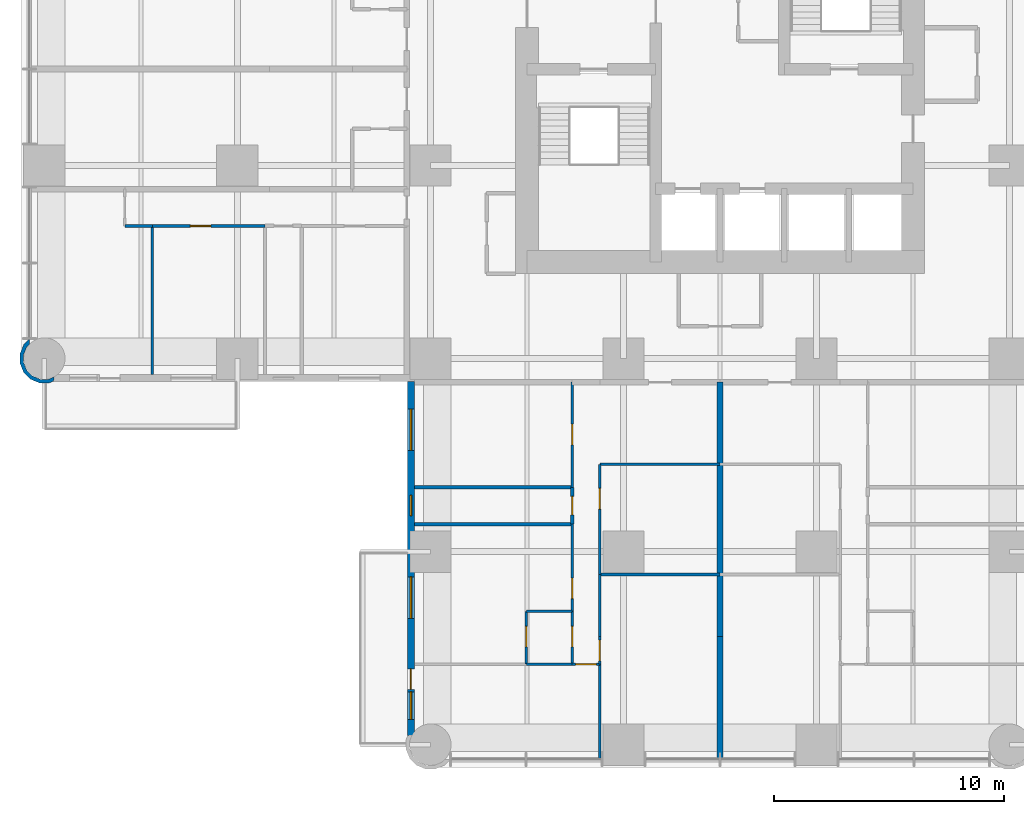
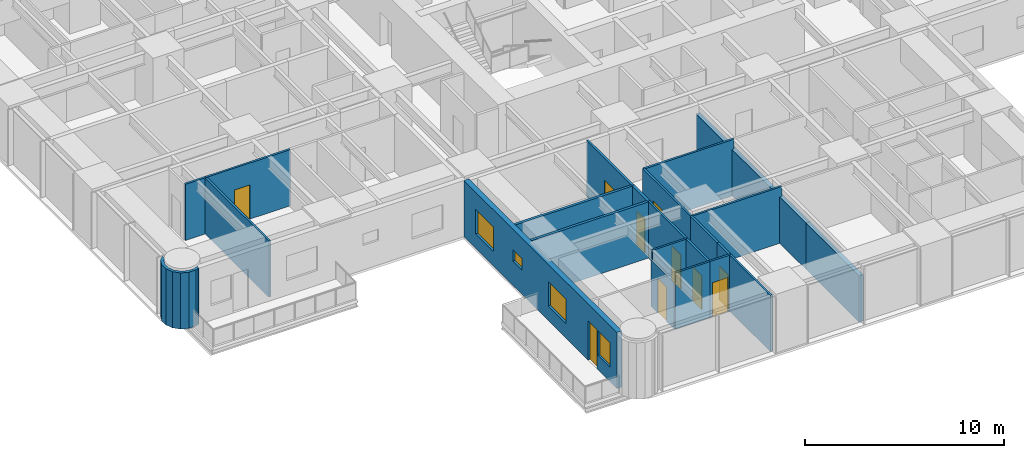
# One storey, part 7 of 17: 25 walls, 10 doors, 4 windows, 14 openings.
"""IFC4 building model written with IfcOpenShell, lengths in metres."""

from ifc_helpers import new_model, si_unit, direction, frame, frame_2d, origin, place, context, subcontext, project, spatial, polyline, rectangle, outline, extrude, material, layer, layer_set, type_object, element, fill, save


model = new_model("IFC4")

# Units and contexts
model_context = context("Model", 3, precision=1e-05, world=origin(), true_north=direction((0.0, 1.0)))
body_context = subcontext(model_context, "Body", "Model", "MODEL_VIEW")
ifc_project = project(units=[si_unit("LENGTHUNIT", "METRE"), si_unit("AREAUNIT", "SQUARE_METRE"), si_unit("VOLUMEUNIT", "CUBIC_METRE"), si_unit("PLANEANGLEUNIT", "RADIAN"), si_unit("MASSUNIT", "GRAM", prefix="KILO")], contexts=[model_context])

# Site, building, storey
site_placement = place(None, origin())
site = spatial("IfcSite", under=ifc_project, at=site_placement, CompositionType="ELEMENT")
building_placement = place(site_placement, origin())
building = spatial("IfcBuilding", under=site, at=building_placement, Name="Torre Alcanfor", CompositionType="ELEMENT")
storey_placement = place(building_placement, frame((0.0, 0.0, 88.5)))
storey = spatial("IfcBuildingStorey", under=building, at=storey_placement, Name="L22", CompositionType="ELEMENT", Elevation=88.5)

# Walls
ifc_material_1 = material(Name="Gypsum board on steel studs", Category="steel")
ifc_layer_1 = layer(ifc_material_1, 0.1201171875)
ifc_layer_set_1 = layer_set([ifc_layer_1], Name="Apartment partition 120")
wall_type_1 = type_object("IfcWallType", Name="Apartment partition 120", PredefinedType="PARTITIONING", material=ifc_layer_set_1)
for number, where, z_axis, x_axis, name in (
    (1, (29.39990234375, 12.199951171875, 0.0), (0.0, 0.0, 1.0), (-1.0, 0.0, 0.0), "Partition L22-S2-ZAG / L22-S2-FAMILY"),
    (2, (29.39990234375, 7.39990234375, 0.0), (0.0, 0.0, 1.0), (-1.0, 0.0, 0.0), "Partition L22-S2-FAMILY / L22-S2-KITCHEN"),
):
    element("IfcWall", number, at=place(storey_placement, frame(where, z_axis=z_axis, x_axis=x_axis)), inside=storey, type_object=wall_type_1, Name=name, PredefinedType="PARTITIONING", context=body_context, shape_type="SweptSolid", body=[
        extrude(rectangle(XDim=5.22900390625, YDim=0.1201171875, at=frame_2d((2.614501953125, 0.0))), origin(), (0.0, 0.0, 1.0), 3.449951171875),
    ])

# Wall, opening, door
wall_1_placement = place(storey_placement, frame((24.1708984375, 7.39990234375, 0.0), z_axis=(0.0, 0.0, 1.0), x_axis=(0.0, 1.0, 0.0)))
wall_1 = element("IfcWall", 3, at=wall_1_placement, inside=storey, type_object=wall_type_1, Name="Partition L22-S2-FAMILY / L22-S2-HALL", PredefinedType="PARTITIONING", context=body_context, shape_type="SweptSolid", body=[
    extrude(rectangle(XDim=4.800048828125, YDim=0.1201171875, at=frame_2d((2.39990234375, 0.0))), origin(), (0.0, 0.0, 1.0), 3.449951171875),
])
opening_1_placement = place(wall_1_placement, frame((2.85009765625, 0.0, 0.0)))
opening_1 = element("IfcOpeningElement", 4, at=opening_1_placement, cuts=wall_1, Name="Opening D-R1", PredefinedType="OPENING", context=body_context, shape_type="SweptSolid", body=[
    extrude(rectangle(XDim=0.89990234375, YDim=2.10009765625, at=frame_2d((0.449951171875, 1.050048828125))), frame((0.0, 0.070068359375, 0.0), z_axis=(0.0, -1.0, 0.0), x_axis=(1.0, 0.0, 0.0)), (0.0, 0.0, 1.0), 0.14013671875),
])
ifc_material_2 = material(Name="Timber", Category="wood")
door_type_1 = type_object("IfcDoorType", Name="Internal door 900x2100", OperationType="SINGLE_SWING_LEFT", PredefinedType="DOOR", material=ifc_material_2)
door_1_placement = place(opening_1_placement, frame((0.89990234375, 0.0, 0.0), z_axis=(0.0, 0.0, 1.0), x_axis=(-1.0, 0.0, 0.0)))
door_1 = element("IfcDoor", 5, at=door_1_placement, inside=storey, type_object=door_type_1, Name="Door L22-S2 family", OperationType="SINGLE_SWING_LEFT", OverallHeight=2.10009765625, OverallWidth=0.89990234375, PredefinedType="DOOR", context=body_context, shape_type="SweptSolid", body=[
    extrude(rectangle(XDim=0.89990234375, YDim=2.10009765625, at=frame_2d((0.449951171875, 1.050048828125))), frame((0.0, 0.025146484375, 0.0), z_axis=(0.0, -1.0, 0.0), x_axis=(1.0, 0.0, 0.0)), (0.0, 0.0, 1.0), 0.050048828125),
])
fill(opening_1, door_1)

# Wall
wall_2_placement = place(storey_placement, frame((24.1708984375, 4.699951171875, 0.0), z_axis=(0.0, 0.0, 1.0), x_axis=(0.0, 1.0, 0.0)))
element("IfcWall", 6, at=wall_2_placement, inside=storey, type_object=wall_type_1, Name="Partition L22-S2-KITCHEN / L22-S2-HALL", PredefinedType="PARTITIONING", context=body_context, shape_type="SweptSolid", body=[
    extrude(rectangle(XDim=2.699951171875, YDim=0.1201171875, at=frame_2d((1.35009765625, 0.0))), origin(), (0.0, 0.0, 1.0), 3.449951171875),
])

# Wall, opening, door
wall_3_placement = place(storey_placement, frame((24.1708984375, 3.5, 0.0), z_axis=(0.0, 0.0, 1.0), x_axis=(0.0, 1.0, 0.0)))
wall_3 = element("IfcWall", 7, at=wall_3_placement, inside=storey, type_object=wall_type_1, Name="Partition L22-S2-LIVING / L22-S2-HALL", PredefinedType="PARTITIONING", context=body_context, shape_type="SweptSolid", body=[
    extrude(rectangle(XDim=1.199951171875, YDim=0.1201171875, at=frame_2d((0.60009765625, 0.0))), origin(), (0.0, 0.0, 1.0), 3.449951171875),
])
opening_2_placement = place(wall_3_placement, frame((0.14990234375, 0.0, 0.0)))
opening_2 = element("IfcOpeningElement", 8, at=opening_2_placement, cuts=wall_3, Name="Opening D-R1", PredefinedType="OPENING", context=body_context, shape_type="SweptSolid", body=[
    extrude(rectangle(XDim=0.89990234375, YDim=2.10009765625, at=frame_2d((0.449951171875, 1.050048828125))), frame((0.0, 0.070068359375, 0.0), z_axis=(0.0, -1.0, 0.0), x_axis=(1.0, 0.0, 0.0)), (0.0, 0.0, 1.0), 0.14013671875),
])
door_2_placement = place(opening_2_placement, frame((0.89990234375, 0.0, 0.0), z_axis=(0.0, 0.0, 1.0), x_axis=(-1.0, 0.0, 0.0)))
door_2 = element("IfcDoor", 9, at=door_2_placement, inside=storey, type_object=door_type_1, Name="Door L22-S2 living", OperationType="SINGLE_SWING_LEFT", OverallHeight=2.10009765625, OverallWidth=0.89990234375, PredefinedType="DOOR", context=body_context, shape_type="SweptSolid", body=[
    extrude(rectangle(XDim=0.89990234375, YDim=2.10009765625, at=frame_2d((0.449951171875, 1.050048828125))), frame((0.0, 0.025146484375, 0.0), z_axis=(0.0, -1.0, 0.0), x_axis=(1.0, 0.0, 0.0)), (0.0, 0.0, 1.0), 0.050048828125),
])
fill(opening_2, door_2)

# Wall
wall_4_placement = place(storey_placement, frame((24.1708984375, -0.64990234375, 0.0), z_axis=(0.0, 0.0, 1.0), x_axis=(0.0, 1.0, 0.0)))
element("IfcWall", 10, at=wall_4_placement, inside=storey, type_object=wall_type_1, Name="Partition L22-S2-LIVING / L22-S2-WGARD", PredefinedType="PARTITIONING", context=body_context, shape_type="SweptSolid", body=[
    extrude(rectangle(XDim=4.14990234375, YDim=0.1201171875, at=frame_2d((2.074951171875, 0.0))), origin(), (0.0, 0.0, 1.0), 3.449951171875),
])

# Wall, opening, door
wall_5_placement = place(storey_placement, frame((22.970947265625, 11.199951171875, 0.0), z_axis=(0.0, 0.0, 1.0), x_axis=(0.0, 1.0, 0.0)))
wall_5 = element("IfcWall", 11, at=wall_5_placement, inside=storey, type_object=wall_type_1, Name="Partition L22-S2-HALL / L22-S2-BED2", PredefinedType="PARTITIONING", context=body_context, shape_type="SweptSolid", body=[
    extrude(rectangle(XDim=4.574951171875, YDim=0.1201171875, at=frame_2d((2.28759765625, 0.0))), origin(), (0.0, 0.0, 1.0), 3.449951171875),
])
opening_3_placement = place(wall_5_placement, frame((1.85009765625, 0.0, 0.0)))
opening_3 = element("IfcOpeningElement", 12, at=opening_3_placement, cuts=wall_5, Name="Opening D-R1", PredefinedType="OPENING", context=body_context, shape_type="SweptSolid", body=[
    extrude(rectangle(XDim=0.89990234375, YDim=2.10009765625, at=frame_2d((0.449951171875, 1.050048828125))), frame((0.0, 0.070068359375, 0.0), z_axis=(0.0, -1.0, 0.0), x_axis=(1.0, 0.0, 0.0)), (0.0, 0.0, 1.0), 0.14013671875),
])
door_3_placement = place(opening_3_placement, origin())
door_3 = element("IfcDoor", 13, at=door_3_placement, inside=storey, type_object=door_type_1, Name="Door L22-S2 bed2", OperationType="SINGLE_SWING_RIGHT", OverallHeight=2.10009765625, OverallWidth=0.89990234375, PredefinedType="DOOR", context=body_context, shape_type="SweptSolid", body=[
    extrude(rectangle(XDim=0.89990234375, YDim=2.10009765625, at=frame_2d((0.449951171875, 1.050048828125))), frame((0.0, 0.02490234375, 0.0), z_axis=(0.0, -1.0, 0.0), x_axis=(1.0, 0.0, 0.0)), (0.0, 0.0, 1.0), 0.050048828125),
])
fill(opening_3, door_3)

wall_6_placement = place(storey_placement, frame((22.970947265625, 5.800048828125, 0.0), z_axis=(0.0, 0.0, 1.0), x_axis=(0.0, 1.0, 0.0)))
wall_6 = element("IfcWall", 14, at=wall_6_placement, inside=storey, type_object=wall_type_1, Name="Partition L22-S2-HALL / L22-S2-MASTER", PredefinedType="PARTITIONING", context=body_context, shape_type="SweptSolid", body=[
    extrude(rectangle(XDim=3.800048828125, YDim=0.1201171875, at=frame_2d((1.89990234375, 0.0))), origin(), (0.0, 0.0, 1.0), 3.449951171875),
])
opening_4_placement = place(wall_6_placement, frame((0.550048828125, 0.0, 0.0)))
opening_4 = element("IfcOpeningElement", 15, at=opening_4_placement, cuts=wall_6, Name="Opening D-R1", PredefinedType="OPENING", context=body_context, shape_type="SweptSolid", body=[
    extrude(rectangle(XDim=0.89990234375, YDim=2.10009765625, at=frame_2d((0.449951171875, 1.050048828125))), frame((0.0, 0.070068359375, 0.0), z_axis=(0.0, -1.0, 0.0), x_axis=(1.0, 0.0, 0.0)), (0.0, 0.0, 1.0), 0.14013671875),
])
door_4_placement = place(opening_4_placement, origin())
door_4 = element("IfcDoor", 16, at=door_4_placement, inside=storey, type_object=door_type_1, Name="Door L22-S2 master", OperationType="SINGLE_SWING_LEFT", OverallHeight=2.10009765625, OverallWidth=0.89990234375, PredefinedType="DOOR", context=body_context, shape_type="SweptSolid", body=[
    extrude(rectangle(XDim=0.89990234375, YDim=2.10009765625, at=frame_2d((0.449951171875, 1.050048828125))), frame((0.0, 0.02490234375, 0.0), z_axis=(0.0, -1.0, 0.0), x_axis=(1.0, 0.0, 0.0)), (0.0, 0.0, 1.0), 0.050048828125),
])
fill(opening_4, door_4)

wall_7_placement = place(storey_placement, frame((22.970947265625, 3.5, 0.0), z_axis=(0.0, 0.0, 1.0), x_axis=(0.0, 1.0, 0.0)))
wall_7 = element("IfcWall", 17, at=wall_7_placement, inside=storey, type_object=wall_type_1, Name="Partition L22-S2-HALL / L22-S2-VEST", PredefinedType="PARTITIONING", context=body_context, shape_type="SweptSolid", body=[
    extrude(rectangle(XDim=2.300048828125, YDim=0.1201171875, at=frame_2d((1.14990234375, 0.0))), origin(), (0.0, 0.0, 1.0), 3.449951171875),
])
opening_5_placement = place(wall_7_placement, frame((0.75, 0.0, 0.0)))
opening_5 = element("IfcOpeningElement", 18, at=opening_5_placement, cuts=wall_7, Name="Opening D-R1", PredefinedType="OPENING", context=body_context, shape_type="SweptSolid", body=[
    extrude(rectangle(XDim=0.89990234375, YDim=2.10009765625, at=frame_2d((0.449951171875, 1.050048828125))), frame((0.0, 0.070068359375, 0.0), z_axis=(0.0, -1.0, 0.0), x_axis=(1.0, 0.0, 0.0)), (0.0, 0.0, 1.0), 0.14013671875),
])
door_5_placement = place(opening_5_placement, origin())
door_5 = element("IfcDoor", 19, at=door_5_placement, inside=storey, type_object=door_type_1, Name="Door L22-S2 vest", OperationType="SINGLE_SWING_RIGHT", OverallHeight=2.10009765625, OverallWidth=0.89990234375, PredefinedType="DOOR", context=body_context, shape_type="SweptSolid", body=[
    extrude(rectangle(XDim=0.89990234375, YDim=2.10009765625, at=frame_2d((0.449951171875, 1.050048828125))), frame((0.0, 0.02490234375, 0.0), z_axis=(0.0, -1.0, 0.0), x_axis=(1.0, 0.0, 0.0)), (0.0, 0.0, 1.0), 0.050048828125),
])
fill(opening_5, door_5)

wall_8_placement = place(storey_placement, frame((24.1708984375, 3.5, 0.0), z_axis=(0.0, 0.0, 1.0), x_axis=(-1.0, 0.0, 0.0)))
wall_8 = element("IfcWall", 20, at=wall_8_placement, inside=storey, type_object=wall_type_1, Name="Partition L22-S2-HALL / L22-S2-WGARD", PredefinedType="PARTITIONING", context=body_context, shape_type="SweptSolid", body=[
    extrude(rectangle(XDim=1.199951171875, YDim=0.1201171875, at=frame_2d((0.60009765625, 0.0))), origin(), (0.0, 0.0, 1.0), 3.449951171875),
])
opening_6_placement = place(wall_8_placement, frame((0.15087890625, 0.0, 0.0)))
opening_6 = element("IfcOpeningElement", 21, at=opening_6_placement, cuts=wall_8, Name="Opening D-R1", PredefinedType="OPENING", context=body_context, shape_type="SweptSolid", body=[
    extrude(rectangle(XDim=0.89990234375, YDim=2.10009765625, at=frame_2d((0.449951171875, 1.050048828125))), frame((0.0, 0.070068359375, 0.0), z_axis=(0.0, -1.0, 0.0), x_axis=(1.0, 0.0, 0.0)), (0.0, 0.0, 1.0), 0.14013671875),
])
door_6_placement = place(opening_6_placement, origin())
door_6 = element("IfcDoor", 22, at=door_6_placement, inside=storey, type_object=door_type_1, Name="Door L22-S2 wgard", OperationType="SINGLE_SWING_LEFT", OverallHeight=2.10009765625, OverallWidth=0.89990234375, PredefinedType="DOOR", context=body_context, shape_type="SweptSolid", body=[
    extrude(rectangle(XDim=0.89990234375, YDim=2.10009765625, at=frame_2d((0.449951171875, 1.050048828125))), frame((0.0, 0.02490234375, 0.0), z_axis=(0.0, -1.0, 0.0), x_axis=(1.0, 0.0, 0.0)), (0.0, 0.0, 1.0), 0.050048828125),
])
fill(opening_6, door_6)

# Wall
wall_9_placement = place(storey_placement, frame((22.970947265625, 5.800048828125, 0.0), z_axis=(0.0, 0.0, 1.0), x_axis=(-1.0, 0.0, 0.0)))
element("IfcWall", 23, at=wall_9_placement, inside=storey, type_object=wall_type_1, Name="Partition L22-S2-MASTER / L22-S2-VEST", PredefinedType="PARTITIONING", context=body_context, shape_type="SweptSolid", body=[
    extrude(rectangle(XDim=2.0, YDim=0.1201171875, at=frame_2d((1.0, 0.0))), origin(), (0.0, 0.0, 1.0), 3.449951171875),
])

# Wall, opening, door
wall_10_placement = place(storey_placement, frame((20.970947265625, 5.800048828125, 0.0), z_axis=(0.0, 0.0, 1.0), x_axis=(0.0, -1.0, 0.0)))
wall_10 = element("IfcWall", 24, at=wall_10_placement, inside=storey, type_object=wall_type_1, Name="Partition L22-S2-MASTER / L22-S2-VEST", PredefinedType="PARTITIONING", context=body_context, shape_type="SweptSolid", body=[
    extrude(rectangle(XDim=2.300048828125, YDim=0.1201171875, at=frame_2d((1.14990234375, 0.0))), origin(), (0.0, 0.0, 1.0), 2.847900390625),
])
opening_7_placement = place(wall_10_placement, frame((0.64990234375, 0.0, 0.0)))
opening_7 = element("IfcOpeningElement", 25, at=opening_7_placement, cuts=wall_10, Name="Opening D-R1", PredefinedType="OPENING", context=body_context, shape_type="SweptSolid", body=[
    extrude(rectangle(XDim=0.89990234375, YDim=2.10009765625, at=frame_2d((0.449951171875, 1.050048828125))), frame((0.0, 0.070068359375, 0.0), z_axis=(0.0, -1.0, 0.0), x_axis=(1.0, 0.0, 0.0)), (0.0, 0.0, 1.0), 0.14013671875),
])
door_7_placement = place(opening_7_placement, origin())
door_7 = element("IfcDoor", 26, at=door_7_placement, inside=storey, type_object=door_type_1, Name="Door L22-S2 master", OperationType="SINGLE_SWING_LEFT", OverallHeight=2.10009765625, OverallWidth=0.89990234375, PredefinedType="DOOR", context=body_context, shape_type="SweptSolid", body=[
    extrude(rectangle(XDim=0.89990234375, YDim=2.10009765625, at=frame_2d((0.449951171875, 1.050048828125))), frame((0.0, 0.02490234375, 0.0), z_axis=(0.0, -1.0, 0.0), x_axis=(1.0, 0.0, 0.0)), (0.0, 0.0, 1.0), 0.050048828125),
])
fill(opening_7, door_7)

# Wall
wall_11_placement = place(storey_placement, frame((22.970947265625, 3.5, 0.0), z_axis=(0.0, 0.0, 1.0), x_axis=(-1.0, 0.0, 0.0)))
element("IfcWall", 27, at=wall_11_placement, inside=storey, type_object=wall_type_1, Name="Partition L22-S2-VEST / L22-S2-WGARD", PredefinedType="PARTITIONING", context=body_context, shape_type="SweptSolid", body=[
    extrude(rectangle(XDim=2.0, YDim=0.1201171875, at=frame_2d((1.0, 0.0))), origin(), (0.0, 0.0, 1.0), 3.449951171875),
])

# Wall, opening, door
wall_12_placement = place(storey_placement, frame((4.699951171875, 22.571044921875, 0.0), z_axis=(0.0, 0.0, 1.0), x_axis=(1.0, 0.0, 0.0)))
wall_12 = element("IfcWall", 28, at=wall_12_placement, inside=storey, type_object=wall_type_1, Name="Partition L22-W1B-HALL / L22-W1B-MASTER", PredefinedType="PARTITIONING", context=body_context, shape_type="SweptSolid", body=[
    extrude(rectangle(XDim=4.900146484375, YDim=0.1201171875, at=frame_2d((2.4501953125, 0.0))), origin(), (0.0, 0.0, 1.0), 3.449951171875),
])
opening_8_placement = place(wall_12_placement, frame((1.64990234375, 0.0, 0.0)))
opening_8 = element("IfcOpeningElement", 29, at=opening_8_placement, cuts=wall_12, Name="Opening D-R1", PredefinedType="OPENING", context=body_context, shape_type="SweptSolid", body=[
    extrude(rectangle(XDim=0.89990234375, YDim=2.10009765625, at=frame_2d((0.449951171875, 1.050048828125))), frame((0.0, 0.070068359375, 0.0), z_axis=(0.0, -1.0, 0.0), x_axis=(1.0, 0.0, 0.0)), (0.0, 0.0, 1.0), 0.14013671875),
])
door_8_placement = place(opening_8_placement, frame((0.89990234375, 0.0, 0.0), z_axis=(0.0, 0.0, 1.0), x_axis=(-1.0, 0.0, 0.0)))
door_8 = element("IfcDoor", 30, at=door_8_placement, inside=storey, type_object=door_type_1, Name="Door L22-W1B master", OperationType="SINGLE_SWING_RIGHT", OverallHeight=2.10009765625, OverallWidth=0.89990234375, PredefinedType="DOOR", context=body_context, shape_type="SweptSolid", body=[
    extrude(rectangle(XDim=0.89990234375, YDim=2.10009765625, at=frame_2d((0.449951171875, 1.050048828125))), frame((0.0, 0.025146484375, 0.0), z_axis=(0.0, -1.0, 0.0), x_axis=(1.0, 0.0, 0.0)), (0.0, 0.0, 1.0), 0.050048828125),
])
fill(opening_8, door_8)

# Walls
wall_13_placement = place(storey_placement, frame((3.5, 22.571044921875, 0.0), z_axis=(0.0, 0.0, 1.0), x_axis=(1.0, 0.0, 0.0)))
element("IfcWall", 31, at=wall_13_placement, inside=storey, type_object=wall_type_1, Name="Partition L22-W1B-HALL / L22-W1B-KITCHEN", PredefinedType="PARTITIONING", context=body_context, shape_type="SweptSolid", body=[
    extrude(rectangle(XDim=1.199951171875, YDim=0.1201171875, at=frame_2d((0.60009765625, 0.0))), origin(), (0.0, 0.0, 1.0), 3.449951171875),
])
wall_14_placement = place(storey_placement, frame((4.699951171875, 22.571044921875, 0.0), z_axis=(0.0, 0.0, 1.0), x_axis=(0.0, -1.0, 0.0)))
element("IfcWall", 32, at=wall_14_placement, inside=storey, type_object=wall_type_1, Name="Partition L22-W1B-MASTER / L22-W1B-KITCHEN", PredefinedType="PARTITIONING", context=body_context, shape_type="SweptSolid", body=[
    extrude(rectangle(XDim=6.470947265625, YDim=0.1201171875, at=frame_2d((3.2353515625, 0.0))), origin(), (0.0, 0.0, 1.0), 3.449951171875),
])

# Wall, openings, door, windows
ifc_material_3 = material(Name="Limestone cladding", Category="masonry")
ifc_layer_2 = layer(ifc_material_3, 0.0400390625, Name="Facing")
ifc_material_4 = material(Name="Ventilated air cavity")
ifc_layer_3 = layer(ifc_material_4, 0.02001953125, ventilated=True, Name="Ventilated joint")
ifc_material_5 = material(Name="Mineral wool insulation", Category="insulation")
ifc_layer_4 = layer(ifc_material_5, 0.10009765625, Name="Insulation")
ifc_material_6 = material(Name="Concrete f'c 35 MPa", Category="concrete")
ifc_layer_5 = layer(ifc_material_6, 0.139892578125, Name="Backing")
ifc_layer_set_2 = layer_set([ifc_layer_2, ifc_layer_3, ifc_layer_4, ifc_layer_5], Name="External wall stone-clad 300")
wall_type_2 = type_object("IfcWallType", Name="External wall stone-clad 300", PredefinedType="SOLIDWALL", material=ifc_layer_set_2)
wall_15_placement = place(storey_placement, frame((15.949951171875, 15.800048828125, 0.0), z_axis=(0.0, 0.0, 1.0), x_axis=(0.0, -1.0, 0.0)))
wall_15 = element("IfcWall", 33, at=wall_15_placement, inside=storey, type_object=wall_type_2, Name="External wall L22 4", PredefinedType="SOLIDWALL", context=body_context, shape_type="SweptSolid", body=[
    extrude(rectangle(XDim=15.400146484375, YDim=0.300048828125, at=frame_2d((7.7001953125, 0.0))), origin(), (0.0, 0.0, 1.0), 3.449951171875),
])
opening_9_placement = place(wall_15_placement, frame((1.199951171875, 0.0, 0.89990234375)))
opening_9 = element("IfcOpeningElement", 34, at=opening_9_placement, cuts=wall_15, Name="Opening W2", PredefinedType="OPENING", context=body_context, shape_type="SweptSolid", body=[
    extrude(rectangle(XDim=1.800048828125, YDim=1.5, at=frame_2d((0.89990234375, 0.75))), frame((0.0, 0.159912109375, 0.0), z_axis=(0.0, -1.0, 0.0), x_axis=(1.0, 0.0, 0.0)), (0.0, 0.0, 1.0), 0.320068359375),
])
opening_10_placement = place(wall_15_placement, frame((4.949951171875, 0.0, 1.5)))
opening_10 = element("IfcOpeningElement", 35, at=opening_10_placement, cuts=wall_15, Name="Opening W3", PredefinedType="OPENING", context=body_context, shape_type="SweptSolid", body=[
    extrude(rectangle(XDim=0.89990234375, YDim=0.699951171875, at=frame_2d((0.449951171875, 0.35009765625))), frame((0.0, 0.159912109375, 0.0), z_axis=(0.0, -1.0, 0.0), x_axis=(1.0, 0.0, 0.0)), (0.0, 0.0, 1.0), 0.320068359375),
])
opening_11_placement = place(wall_15_placement, frame((8.5, 0.0, 0.89990234375)))
opening_11 = element("IfcOpeningElement", 36, at=opening_11_placement, cuts=wall_15, Name="Opening W2", PredefinedType="OPENING", context=body_context, shape_type="SweptSolid", body=[
    extrude(rectangle(XDim=1.800048828125, YDim=1.5, at=frame_2d((0.89990234375, 0.75))), frame((0.0, 0.159912109375, 0.0), z_axis=(0.0, -1.0, 0.0), x_axis=(1.0, 0.0, 0.0)), (0.0, 0.0, 1.0), 0.320068359375),
])
opening_12_placement = place(wall_15_placement, frame((12.5, 0.0, 0.0)))
opening_12 = element("IfcOpeningElement", 37, at=opening_12_placement, cuts=wall_15, Name="Opening D-B1", PredefinedType="OPENING", context=body_context, shape_type="SweptSolid", body=[
    extrude(rectangle(XDim=0.89990234375, YDim=2.39990234375, at=frame_2d((0.449951171875, 1.199951171875))), frame((0.0, 0.159912109375, 0.0), z_axis=(0.0, -1.0, 0.0), x_axis=(1.0, 0.0, 0.0)), (0.0, 0.0, 1.0), 0.320068359375),
])
opening_13_placement = place(wall_15_placement, frame((13.5, 0.0, 0.89990234375)))
opening_13 = element("IfcOpeningElement", 38, at=opening_13_placement, cuts=wall_15, Name="Opening W4", PredefinedType="OPENING", context=body_context, shape_type="SweptSolid", body=[
    extrude(rectangle(XDim=1.199951171875, YDim=1.5, at=frame_2d((0.60009765625, 0.75))), frame((0.0, 0.159912109375, 0.0), z_axis=(0.0, -1.0, 0.0), x_axis=(1.0, 0.0, 0.0)), (0.0, 0.0, 1.0), 0.320068359375),
])
ifc_material_7 = material(Name="Aluminium and glass", Category="aluminium")
door_type_2 = type_object("IfcDoorType", Name="Balcony door glazed 900x2400", OperationType="SINGLE_SWING_LEFT", PredefinedType="DOOR", material=ifc_material_7)
door_9_placement = place(opening_12_placement, origin())
door_9 = element("IfcDoor", 39, at=door_9_placement, inside=storey, type_object=door_type_2, Name="Balcony door L22-S2", OperationType="SINGLE_SWING_LEFT", OverallHeight=2.39990234375, OverallWidth=0.89990234375, PredefinedType="DOOR", context=body_context, shape_type="SweptSolid", body=[
    extrude(rectangle(XDim=0.89990234375, YDim=2.39990234375, at=frame_2d((0.449951171875, 1.199951171875))), frame((0.0, 0.02490234375, 0.0), z_axis=(0.0, -1.0, 0.0), x_axis=(1.0, 0.0, 0.0)), (0.0, 0.0, 1.0), 0.050048828125),
])
fill(opening_12, door_9)
ifc_material_8 = material(Name="Aluminium frame with clear double glazing", Category="aluminium")
window_type_1 = type_object("IfcWindowType", Name="Window bathroom 900x700", PartitioningType="SINGLE_PANEL", PredefinedType="WINDOW", material=ifc_material_8)
window_1_placement = place(opening_10_placement, origin())
window_1 = element("IfcWindow", 40, at=window_1_placement, inside=storey, type_object=window_type_1, Name="Window W3 L22-S2", OverallHeight=0.699951171875, OverallWidth=0.89990234375, PartitioningType="SINGLE_PANEL", PredefinedType="WINDOW", context=body_context, shape_type="SweptSolid", body=[
    extrude(rectangle(XDim=0.89990234375, YDim=0.699951171875, at=frame_2d((0.449951171875, 0.35009765625))), frame((0.0, 0.030029296875, 0.0), z_axis=(0.0, -1.0, 0.0), x_axis=(1.0, 0.0, 0.0)), (0.0, 0.0, 1.0), 0.06005859375),
])
fill(opening_10, window_1)
ifc_material_9 = material(Name="Aluminium frame with clear double glazing", Category="aluminium")
window_type_2 = type_object("IfcWindowType", Name="Window bedroom 1200x1500", PartitioningType="SINGLE_PANEL", PredefinedType="WINDOW", material=ifc_material_9)
window_2_placement = place(opening_13_placement, origin())
window_2 = element("IfcWindow", 41, at=window_2_placement, inside=storey, type_object=window_type_2, Name="Window W4 L22-S2", OverallHeight=1.5, OverallWidth=1.199951171875, PartitioningType="SINGLE_PANEL", PredefinedType="WINDOW", context=body_context, shape_type="SweptSolid", body=[
    extrude(rectangle(XDim=1.199951171875, YDim=1.5, at=frame_2d((0.60009765625, 0.75))), frame((0.0, 0.030029296875, 0.0), z_axis=(0.0, -1.0, 0.0), x_axis=(1.0, 0.0, 0.0)), (0.0, 0.0, 1.0), 0.06005859375),
])
fill(opening_13, window_2)
ifc_material_10 = material(Name="Aluminium frame with clear double glazing", Category="aluminium")
window_type_3 = type_object("IfcWindowType", Name="Window bedroom 1800x1500", PartitioningType="SINGLE_PANEL", PredefinedType="WINDOW", material=ifc_material_10)
window_3_placement = place(opening_9_placement, origin())
window_3 = element("IfcWindow", 42, at=window_3_placement, inside=storey, type_object=window_type_3, Name="Window W2 L22-S2", OverallHeight=1.5, OverallWidth=1.800048828125, PartitioningType="SINGLE_PANEL", PredefinedType="WINDOW", context=body_context, shape_type="SweptSolid", body=[
    extrude(rectangle(XDim=1.800048828125, YDim=1.5, at=frame_2d((0.89990234375, 0.75))), frame((0.0, 0.030029296875, 0.0), z_axis=(0.0, -1.0, 0.0), x_axis=(1.0, 0.0, 0.0)), (0.0, 0.0, 1.0), 0.06005859375),
])
fill(opening_9, window_3)
window_4_placement = place(opening_11_placement, origin())
window_4 = element("IfcWindow", 43, at=window_4_placement, inside=storey, type_object=window_type_3, Name="Window W2 L22-S2", OverallHeight=1.5, OverallWidth=1.800048828125, PartitioningType="SINGLE_PANEL", PredefinedType="WINDOW", context=body_context, shape_type="SweptSolid", body=[
    extrude(rectangle(XDim=1.800048828125, YDim=1.5, at=frame_2d((0.89990234375, 0.75))), frame((0.0, 0.030029296875, 0.0), z_axis=(0.0, -1.0, 0.0), x_axis=(1.0, 0.0, 0.0)), (0.0, 0.0, 1.0), 0.06005859375),
])
fill(opening_11, window_4)

# Walls
ifc_material_11 = material(Name="Concrete block masonry, hollow blocks NMX-C-404 9 MPa", Category="masonry")
ifc_layer_6 = layer(ifc_material_11, 0.25)
ifc_layer_set_3 = layer_set([ifc_layer_6], Name="Party wall 250 EI 60")
wall_type_3 = type_object("IfcWallType", Name="Party wall 250 EI 60", PredefinedType="PARTITIONING", material=ifc_layer_set_3)
wall_16_placement = place(storey_placement, frame((29.39990234375, 15.77490234375, 0.0), z_axis=(0.0, 0.0, 1.0), x_axis=(0.0, -1.0, 0.0)))
element("IfcWall", 44, at=wall_16_placement, inside=storey, type_object=wall_type_3, Name="Partition L22-S1-ZAG / L22-S2-ZAG", PredefinedType="PARTITIONING", context=body_context, shape_type="SweptSolid", body=[
    extrude(rectangle(XDim=3.574951171875, YDim=0.25, at=frame_2d((1.78759765625, 0.0))), origin(), (0.0, 0.0, 1.0), 2.847900390625),
])
wall_17_placement = place(storey_placement, frame((29.39990234375, 12.199951171875, 0.0), z_axis=(0.0, 0.0, 1.0), x_axis=(0.0, -1.0, 0.0)))
element("IfcWall", 45, at=wall_17_placement, inside=storey, type_object=wall_type_3, Name="Partition L22-S1-FAMILY / L22-S2-FAMILY", PredefinedType="PARTITIONING", context=body_context, shape_type="SweptSolid", body=[
    extrude(rectangle(XDim=4.800048828125, YDim=0.25, at=frame_2d((2.39990234375, 0.0))), origin(), (0.0, 0.0, 1.0), 2.847900390625),
])
wall_18_placement = place(storey_placement, frame((29.39990234375, 7.39990234375, 0.0), z_axis=(0.0, 0.0, 1.0), x_axis=(0.0, -1.0, 0.0)))
element("IfcWall", 46, at=wall_18_placement, inside=storey, type_object=wall_type_3, Name="Partition L22-S1-KITCHEN / L22-S2-KITCHEN", PredefinedType="PARTITIONING", context=body_context, shape_type="SweptSolid", body=[
    extrude(rectangle(XDim=2.699951171875, YDim=0.25, at=frame_2d((1.35009765625, 0.0))), origin(), (0.0, 0.0, 1.0), 2.847900390625),
])
wall_19_placement = place(storey_placement, frame((29.39990234375, 4.699951171875, 0.0), z_axis=(0.0, 0.0, 1.0), x_axis=(0.0, -1.0, 0.0)))
element("IfcWall", 47, at=wall_19_placement, inside=storey, type_object=wall_type_3, Name="Partition L22-S1-LIVING / L22-S2-LIVING", PredefinedType="PARTITIONING", context=body_context, shape_type="SweptSolid", body=[
    extrude(rectangle(XDim=5.349853515625, YDim=0.25, at=frame_2d((2.6748046875, 0.0))), origin(), (0.0, 0.0, 1.0), 2.847900390625),
])
ifc_layer_7 = layer(ifc_material_3, 0.0400390625, Name="Facing")
ifc_layer_8 = layer(ifc_material_4, 0.02001953125, ventilated=True, Name="Ventilated joint")
ifc_layer_9 = layer(ifc_material_5, 0.10009765625, Name="Insulation")
ifc_layer_10 = layer(ifc_material_6, 0.139892578125, Name="Backing")
ifc_layer_set_4 = layer_set([ifc_layer_7, ifc_layer_8, ifc_layer_9, ifc_layer_10], Name="Rounded corner pier stone-clad 300")
wall_type_4 = type_object("IfcWallType", Name="Rounded corner pier stone-clad 300", PredefinedType="SOLIDWALL", material=ifc_layer_set_4)
wall_20_placement = place(storey_placement, frame((-0.610519256, 17.56659392, 0.0), z_axis=(0.0, 0.0, 1.0), x_axis=(-0.926129809145, -0.377204953059, 0.0)))
element("IfcWall", 48, at=wall_20_placement, inside=storey, type_object=wall_type_4, Name="Corner pier L22 14", PredefinedType="SOLIDWALL", context=body_context, shape_type="SweptSolid", body=[
    extrude(outline(polyline([(-0.2694320048751383, 2.0171861008885523), (-0.3700526678318482, 1.8406866495551875), (-0.10232913830325796, 1.8423628952563784), (0.22959433821660935, 1.7071732294627), (0.4846648868960458, 1.4551341488862783), (0.6237723089217844, 1.1248457008471362), (0.6256501657648526, 0.7663568996565957), (0.49046049997117414, 0.4344334231367283), (0.2387396163581813, 0.17949688931473468), (0.09014163443691028, 0.11691195088889664), (0.010851237809964043, -0.07776523799639344), (0.024417592436116662, -0.08329070117597158), (0.32956848036437986, 0.045229547111777235), (0.4801338191951393, 0.19743274075920003), (0.4990091877024963, 0.1926447125875501), (0.5075557555746872, 0.2252788612711387), (0.6260018077392729, 0.3452223941390844), (0.7850430562581303, 0.7357073014618439), (0.782472278983801, 1.15721841463542), (0.6187061231885674, 1.5460551039454697), (0.3187132761612602, 1.8424884313203629), (-0.07154552525106339, 2.0014375887862275), (-0.2401131340992967, 2.00049972024067), (-0.2694320048751383, 2.0171861008885523)])), origin(), (0.0, 0.0, 1.0), 3.449951171875),
])

# Wall, opening, door
ifc_material_12 = material(Name="Cement board on steel studs", Category="steel")
ifc_layer_11 = layer(ifc_material_12, 0.14990234375)
ifc_layer_set_5 = layer_set([ifc_layer_11], Name="Wet area partition 150")
wall_type_5 = type_object("IfcWallType", Name="Wet area partition 150", PredefinedType="PARTITIONING", material=ifc_layer_set_5)
wall_21_placement = place(storey_placement, frame((22.970947265625, 9.60009765625, 0.0), z_axis=(0.0, 0.0, 1.0), x_axis=(0.0, 1.0, 0.0)))
wall_21 = element("IfcWall", 49, at=wall_21_placement, inside=storey, type_object=wall_type_5, Name="Partition L22-S2-HALL / L22-S2-BATH1", PredefinedType="PARTITIONING", context=body_context, shape_type="SweptSolid", body=[
    extrude(rectangle(XDim=1.599853515625, YDim=0.14990234375, at=frame_2d((0.7998046875, 0.0))), origin(), (0.0, 0.0, 1.0), 3.449951171875),
])
opening_14_placement = place(wall_21_placement, frame((0.39990234375, 0.0, 0.0)))
opening_14 = element("IfcOpeningElement", 50, at=opening_14_placement, cuts=wall_21, Name="Opening D-R2", PredefinedType="OPENING", context=body_context, shape_type="SweptSolid", body=[
    extrude(rectangle(XDim=0.800048828125, YDim=2.10009765625, at=frame_2d((0.39990234375, 1.050048828125))), frame((0.0, 0.0849609375, 0.0), z_axis=(0.0, -1.0, 0.0), x_axis=(1.0, 0.0, 0.0)), (0.0, 0.0, 1.0), 0.169921875),
])
ifc_material_13 = material(Name="Timber", Category="wood")
door_type_3 = type_object("IfcDoorType", Name="Bathroom door 800x2100", OperationType="SINGLE_SWING_LEFT", PredefinedType="DOOR", material=ifc_material_13)
door_10_placement = place(opening_14_placement, origin())
door_10 = element("IfcDoor", 51, at=door_10_placement, inside=storey, type_object=door_type_3, Name="Door L22-S2 bath1", OperationType="SINGLE_SWING_LEFT", OverallHeight=2.10009765625, OverallWidth=0.800048828125, PredefinedType="DOOR", context=body_context, shape_type="SweptSolid", body=[
    extrude(rectangle(XDim=0.800048828125, YDim=2.10009765625, at=frame_2d((0.39990234375, 1.050048828125))), frame((0.0, 0.02490234375, 0.0), z_axis=(0.0, -1.0, 0.0), x_axis=(1.0, 0.0, 0.0)), (0.0, 0.0, 1.0), 0.050048828125),
])
fill(opening_14, door_10)

# Walls
for number, where, z_axis, x_axis, name in (
    (52, (22.970947265625, 11.199951171875, 0.0), (0.0, 0.0, 1.0), (-1.0, 0.0, 0.0), "Partition L22-S2-BED2 / L22-S2-BATH1"),
    (53, (22.970947265625, 9.60009765625, 0.0), (0.0, 0.0, 1.0), (-1.0, 0.0, 0.0), "Partition L22-S2-BATH1 / L22-S2-MASTER"),
):
    element("IfcWall", number, at=place(storey_placement, frame(where, z_axis=z_axis, x_axis=x_axis)), inside=storey, type_object=wall_type_5, Name=name, PredefinedType="PARTITIONING", context=body_context, shape_type="SweptSolid", body=[
        extrude(rectangle(XDim=6.870849609375, YDim=0.14990234375, at=frame_2d((3.435546875, 0.0))), origin(), (0.0, 0.0, 1.0), 3.449951171875),
    ])

save(model, "model.ifc")
